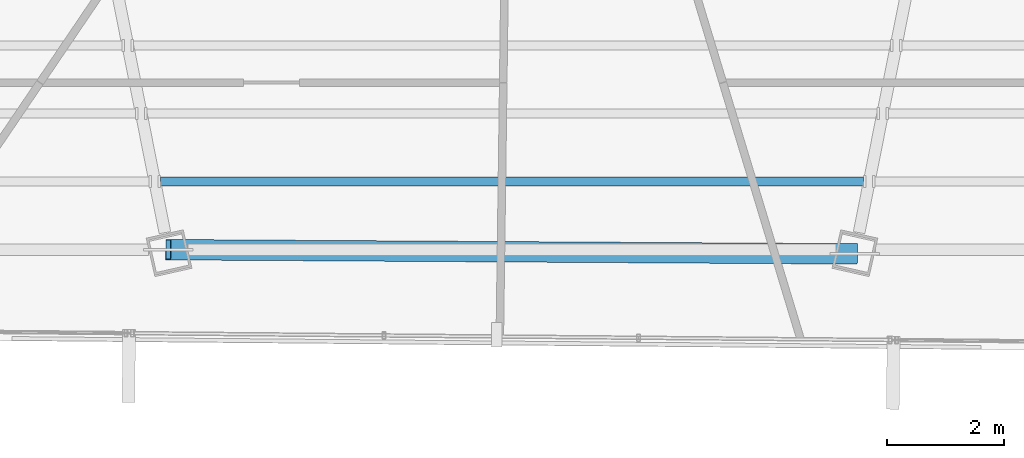
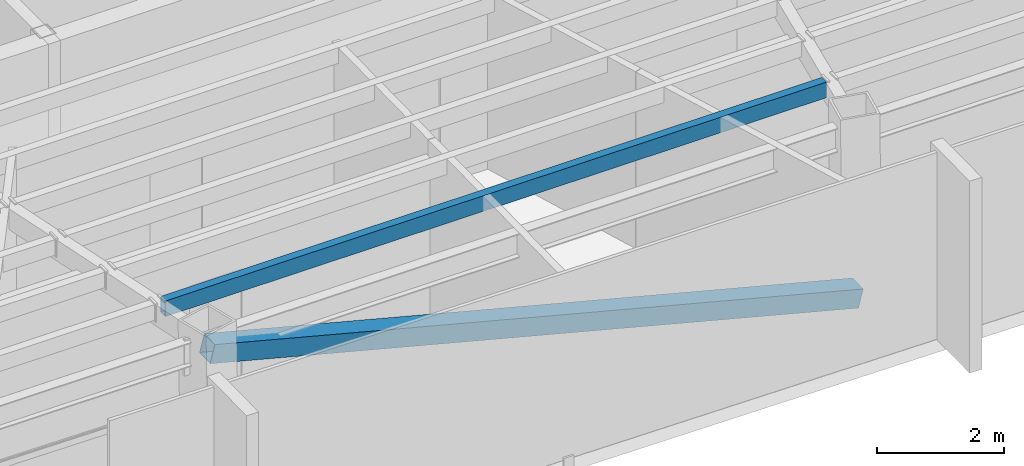
# One storey, part 14 of 47: 1 beam, 1 member.
"""IFC4 building model written with IfcOpenShell, lengths in metres."""

import ifcopenshell
import ifcopenshell.guid

model = None  # the IFC model being written
_history = None  # IfcOwnerHistory: only IFC2X3 demands one
_inside = {}  # id of a spatial element -> (the spatial element, [elements in it])
_under = {}  # id of a project, library or spatial element -> (it, [spatial elements below it])
_declared = {}  # id of a project -> (the project, [libraries it declares])
_typed = {}  # id of a type object -> (the type object, [elements of that type])
_made_of = {}  # id of a material, layer set ... -> (it, [elements and type objects made of it])


def new_model(schema):
    """Start an empty IFC model of exactly this schema.

    Asked for "IFC4X3", IfcOpenShell would pick the latest addendum, in which some entities
    have other attributes; the version numbers below select the first issue.
    IFC2X3 requires an IfcOwnerHistory on every rooted entity: one is made here for all.
    """
    global model, _history
    if schema == "IFC4X3":
        model = ifcopenshell.file(schema_version=(4, 3, 0, 0))
    else:
        model = ifcopenshell.file(schema=schema)
    _inside.clear()
    _under.clear()
    _declared.clear()
    _typed.clear()
    _made_of.clear()
    _history = None
    if model.schema == "IFC2X3":
        org = make("IfcOrganization", Name="unknown")
        user = make(
            "IfcPersonAndOrganization",
            ThePerson=make("IfcPerson", FamilyName="unknown"),
            TheOrganization=org,
        )
        app = make(
            "IfcApplication",
            ApplicationDeveloper=org,
            Version="unknown",
            ApplicationFullName="unknown",
            ApplicationIdentifier="unknown",
        )
        _history = make(
            "IfcOwnerHistory",
            OwningUser=user,
            OwningApplication=app,
            ChangeAction="ADDED",
            CreationDate=0,
        )
    return model


def make(cls, **values):
    """One entity of the class cls with the attributes given. An attribute that is None is left unset."""
    return model.create_entity(
        cls, **{name: value for name, value in values.items() if value is not None}
    )


def rooted(cls, **values):
    """An entity with a GlobalId (a new one), such as an element, a storey or a relation."""
    return make(cls, GlobalId=ifcopenshell.guid.new(), OwnerHistory=_history, **values)


def si_unit(unit_type, name, prefix=None):
    """IfcSIUnit, for example si_unit("LENGTHUNIT", "METRE", prefix="MILLI")."""
    return make("IfcSIUnit", UnitType=unit_type, Prefix=prefix, Name=name)


def assignment(units):
    """IfcUnitAssignment: the units of a project."""
    return None if units is None else make("IfcUnitAssignment", Units=units)


def point(xyz):
    """IfcCartesianPoint."""
    return None if xyz is None else make("IfcCartesianPoint", Coordinates=xyz)


def direction(xyz):
    """IfcDirection."""
    return None if xyz is None else make("IfcDirection", DirectionRatios=xyz)


def frame(location, z_axis=None, x_axis=None):
    """IfcAxis2Placement3D, a coordinate frame: its origin and axes. An axis left out is left unset."""
    return make(
        "IfcAxis2Placement3D",
        Location=point(location),
        Axis=direction(z_axis),
        RefDirection=direction(x_axis),
    )


def frame_2d(location, x_axis=None):
    """IfcAxis2Placement2D, a coordinate frame in the plane: its origin and x axis."""
    return make(
        "IfcAxis2Placement2D", Location=point(location), RefDirection=direction(x_axis)
    )


def origin():
    """The frame at (0, 0, 0) with its axes left unset."""
    return frame((0.0, 0.0, 0.0))


def origin_2d():
    """The frame at (0, 0) in the plane with its x axis left unset."""
    return frame_2d((0.0, 0.0))


def place(relative_to, where):
    """IfcLocalPlacement: puts the frame where relative to a parent placement (None: the world)."""
    return make(
        "IfcLocalPlacement", PlacementRelTo=relative_to, RelativePlacement=where
    )


def context(
    kind, dimensions, precision=None, world=None, true_north=None, identifier=None
):
    """IfcGeometricRepresentationContext, for example the 3D "Model" context."""
    return make(
        "IfcGeometricRepresentationContext",
        ContextIdentifier=identifier,
        ContextType=kind,
        CoordinateSpaceDimension=dimensions,
        Precision=precision,
        WorldCoordinateSystem=world,
        TrueNorth=true_north,
    )


def subcontext(parent, identifier, kind, view, scale=None):
    """IfcGeometricRepresentationSubContext, for example "Body" below "Model"."""
    return make(
        "IfcGeometricRepresentationSubContext",
        ContextIdentifier=identifier,
        ContextType=kind,
        ParentContext=parent,
        TargetScale=scale,
        TargetView=view,
    )


def project(units=None, contexts=None):
    """IfcProject with its units and contexts."""
    return rooted(
        "IfcProject",
        Name="project",
        RepresentationContexts=contexts,
        UnitsInContext=assignment(units),
    )


def spatial(cls, under=None, at=None, **own):
    """A site, building, storey or space (cls), placed at a placement, below another one or the project."""
    s = rooted(cls, ObjectPlacement=at, **own)
    if under is not None:
        _under.setdefault(under.id(), (under, []))[1].append(s)
    return s


def profile(cls, at=None, kind="AREA", **sizes):
    """A parametric profile (cls). Its sizes go by their IFC names, for example OverallWidth=200.0."""
    return make(cls, ProfileType=kind, Position=at, **sizes)


def hollow_rectangle(**sizes):
    """IfcRectangleHollowProfileDef."""
    return profile("IfcRectangleHollowProfileDef", **sizes)


def extrude(swept, where, along, depth):
    """IfcExtrudedAreaSolid: the profile swept, set in the frame where, extruded along a direction by depth."""
    return make(
        "IfcExtrudedAreaSolid",
        SweptArea=swept,
        Position=where,
        ExtrudedDirection=direction(along),
        Depth=depth,
    )


def shape(context_of_items, identifier, shape_type, items):
    """IfcShapeRepresentation: the items that make up one representation, for example the "Body"."""
    return make(
        "IfcShapeRepresentation",
        ContextOfItems=context_of_items,
        RepresentationIdentifier=identifier,
        RepresentationType=shape_type,
        Items=items,
    )


def source(mapping_origin, context_of_items, identifier, shape_type, items):
    """IfcRepresentationMap: a shape defined once, which mapped items show again and again."""
    return make(
        "IfcRepresentationMap",
        MappingOrigin=mapping_origin,
        MappedRepresentation=shape(context_of_items, identifier, shape_type, items),
    )


def transform(
    local_origin,
    x_axis=None,
    y_axis=None,
    z_axis=None,
    scale=None,
    scale2=None,
    scale3=None,
    uniform=True,
):
    """IfcCartesianTransformationOperator3D, or its non-uniform kind. x_axis, y_axis, z_axis: its Axis1, 2, 3."""
    if uniform:
        return make(
            "IfcCartesianTransformationOperator3D",
            Axis1=direction(x_axis),
            Axis2=direction(y_axis),
            LocalOrigin=point(local_origin),
            Scale=scale,
            Axis3=direction(z_axis),
        )
    return make(
        "IfcCartesianTransformationOperator3DnonUniform",
        Axis1=direction(x_axis),
        Axis2=direction(y_axis),
        LocalOrigin=point(local_origin),
        Scale=scale,
        Axis3=direction(z_axis),
        Scale2=scale2,
        Scale3=scale3,
    )


def mapped(mapping_source, mapping_target):
    """IfcMappedItem: shows the shape of a source again, moved by a transform."""
    return make(
        "IfcMappedItem", MappingSource=mapping_source, MappingTarget=mapping_target
    )


def material(Name=None, Category=None):
    """IfcMaterial."""
    return make("IfcMaterial", Name=Name, Category=Category)


def material_profile(
    of_material, cross_section, Name=None, Category=None, Priority=None
):
    """IfcMaterialProfile: a cross section and its material."""
    return make(
        "IfcMaterialProfile",
        Name=Name,
        Material=of_material,
        Profile=cross_section,
        Priority=Priority,
        Category=Category,
    )


def profile_set(profiles, Name=None, composite=None):
    """IfcMaterialProfileSet."""
    return make(
        "IfcMaterialProfileSet",
        Name=Name,
        MaterialProfiles=profiles,
        CompositeProfile=composite,
    )


def made_of(thing, what):
    """Note that an element or type object is made of a material, layer set ...; save() writes the relation."""
    if what is not None:
        _made_of.setdefault(what.id(), (what, []))[1].append(thing)
    return thing


def type_object(cls, material=None, **own):
    """A type object (cls), such as IfcWallType, which elements share."""
    return made_of(rooted(cls, **own), material)


def type_shapes(of_type, sources):
    """Give a type object the sources (RepresentationMaps) that its elements show as mapped items."""
    of_type.RepresentationMaps = sources


def element(
    cls,
    number,
    at=None,
    inside=None,
    cuts=None,
    type_object=None,
    material=None,
    context=None,
    identifier="Body",
    shape_type=None,
    held_by="IfcProductDefinitionShape",
    body=None,
    shapes=None,
    **own,
):
    """One element of the class cls, such as IfcWall. Its Tag is "e" and its number.

    at: its placement. inside: the storey or other place that contains it. cuts: it is an
    opening in that element (IfcRelVoidsElement). A single representation is given by context,
    identifier, shape_type and body (its items); several are given by shapes. held_by: the class
    of the entity that holds the representations. save() writes the other relations.
    """
    e = rooted(cls, Tag="e%d" % number, ObjectPlacement=at, **own)
    if body is not None:
        shapes = [shape(context, identifier, shape_type, body)]
    if shapes is not None:
        e.Representation = make(held_by, Representations=shapes)
    if inside is not None:
        _inside.setdefault(inside.id(), (inside, []))[1].append(e)
    if cuts is not None:
        rooted(
            "IfcRelVoidsElement", RelatingBuildingElement=cuts, RelatedOpeningElement=e
        )
    if type_object is not None:
        _typed.setdefault(type_object.id(), (type_object, []))[1].append(e)
    return made_of(e, material)


def aggregate(whole, parts):
    """IfcRelAggregates: a whole, such as a stair, and the parts it consists of."""
    return rooted("IfcRelAggregates", RelatingObject=whole, RelatedObjects=parts)


def save(model, path):
    """Write the relations noted so far, then the file.

    IfcRelAggregates (storeys below a building ...), IfcRelContainedInSpatialStructure (elements
    in a storey), IfcRelDefinesByType, IfcRelAssociatesMaterial and IfcRelDeclares: one each for
    every whole, place, type object, material and project.
    """
    for whole, parts in _under.values():
        aggregate(whole, parts)
    for where, things in _inside.values():
        rooted(
            "IfcRelContainedInSpatialStructure",
            RelatedElements=things,
            RelatingStructure=where,
        )
    for kind, things in _typed.values():
        rooted("IfcRelDefinesByType", RelatedObjects=things, RelatingType=kind)
    for what, things in _made_of.values():
        rooted("IfcRelAssociatesMaterial", RelatedObjects=things, RelatingMaterial=what)
    for by, libraries in _declared.values():
        rooted("IfcRelDeclares", RelatingContext=by, RelatedDefinitions=libraries)
    model.write(path)


model = new_model("IFC4")

# Units and contexts
model_context = context("Model", 3, precision=1e-05, world=origin(), true_north=direction((0.0, 1.0)))
body_context = subcontext(model_context, "Body", "Model", "MODEL_VIEW")
ifc_project = project(units=[si_unit("LENGTHUNIT", "METRE"), si_unit("AREAUNIT", "SQUARE_METRE"), si_unit("VOLUMEUNIT", "CUBIC_METRE"), si_unit("PLANEANGLEUNIT", "RADIAN"), si_unit("MASSUNIT", "GRAM", prefix="KILO")], contexts=[model_context])

# Site, building, storey
site_placement = place(None, origin())
site = spatial("IfcSite", under=ifc_project, at=site_placement, CompositionType="ELEMENT")
building_placement = place(site_placement, origin())
building = spatial("IfcBuilding", under=site, at=building_placement, Name="Caelisora Broadcast Tower", CompositionType="ELEMENT")
storey_placement = place(building_placement, frame((0.0, 0.0, 248.10009765625)))
storey = spatial("IfcBuildingStorey", under=building, at=storey_placement, Name="L65", CompositionType="ELEMENT", Elevation=248.10009765625)

# Beam
ifc_material_1 = material(Name="Steel Grade 350 (AS/NZS 1163 C350L0)", Category="steel")
ifc_material_profile_1 = material_profile(ifc_material_1, hollow_rectangle(XDim=0.14990234375, YDim=0.300048828125, WallThickness=0.010009765625, at=origin_2d()), Name="Steel Grade 350 (AS/NZS 1163 C350L0)")
ifc_profile_set_1 = profile_set([ifc_material_profile_1], Name="Steel Grade 350 (AS/NZS 1163 C350L0)")
beam_type = type_object("IfcBeamType", Name="SB05", PredefinedType="JOIST", material=ifc_profile_set_1)
shared_shape_1 = source(origin(), body_context, "Body", "SweptSolid", [
    extrude(hollow_rectangle(XDim=0.14990234375, YDim=0.300048828125, WallThickness=0.010009765625, at=origin_2d()), origin(), (0.0, 0.0, 1.0), 12.03125),
])
type_shapes(beam_type, [shared_shape_1])
beam_placement = place(storey_placement, frame((31.984375, 10.405517578125, 3.25), z_axis=(1.0, 0.0, 0.0), x_axis=(0.0, 1.0, 0.0)))
element("IfcBeam", 1, at=beam_placement, inside=storey, type_object=beam_type, Name="L65 beam SB05", PredefinedType="JOIST", context=body_context, shape_type="MappedRepresentation", body=[
    mapped(shared_shape_1, transform((0.0, 0.0, 0.0), scale=1.0)),
])

# Member
ifc_material_2 = material(Name="Steel Grade 450 (AS/NZS 1163 C450L0)", Category="steel")
ifc_material_profile_2 = material_profile(ifc_material_2, hollow_rectangle(XDim=0.35009765625, YDim=0.35009765625, WallThickness=0.012451171875, at=origin_2d()), Name="Steel Grade 450 (AS/NZS 1163 C450L0)")
ifc_profile_set_2 = profile_set([ifc_material_profile_2], Name="Steel Grade 450 (AS/NZS 1163 C450L0)")
member_type = type_object("IfcMemberType", Name="BR05", PredefinedType="BRACE", material=ifc_profile_set_2)
shared_shape_2 = source(origin(), body_context, "Body", "SweptSolid", [
    extrude(hollow_rectangle(XDim=0.35009765625, YDim=0.35009765625, WallThickness=0.012451171875, at=origin_2d()), origin(), (0.0, 0.0, 1.0), 12.12841796875),
])
type_shapes(member_type, [shared_shape_2])
member_placement = place(storey_placement, frame((32.1162109375, 9.23974609375, 3.099853515625), z_axis=(0.96890667013, -0.005958414692, -0.247354728825), x_axis=(0.006149510795, 0.99998109158, 0.0)))
element("IfcMember", 2, at=member_placement, inside=storey, type_object=member_type, Name="L65 perimeter brace BR05", PredefinedType="BRACE", context=body_context, shape_type="MappedRepresentation", body=[
    mapped(shared_shape_2, transform((0.0, 0.0, 0.0), scale=1.0)),
])

save(model, "model.ifc")
